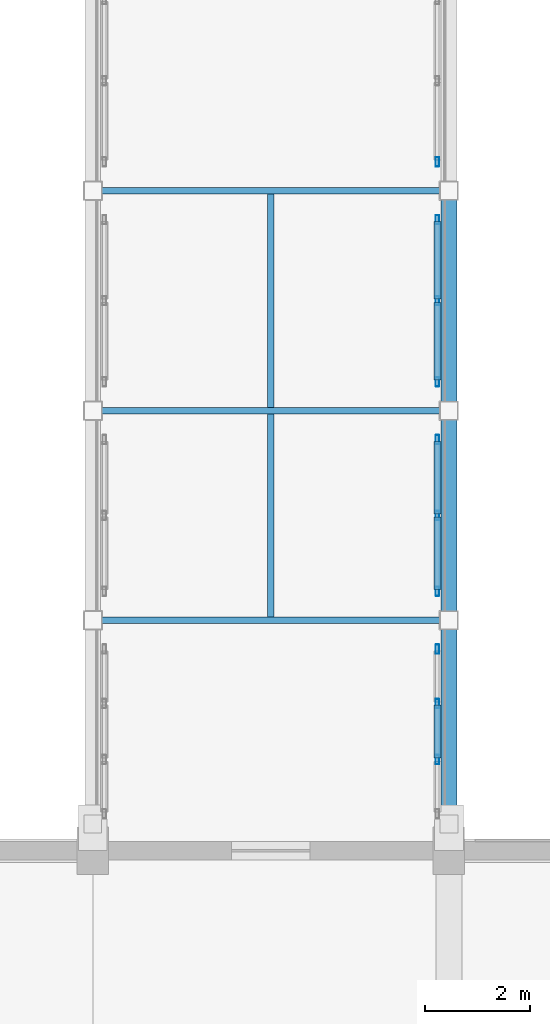
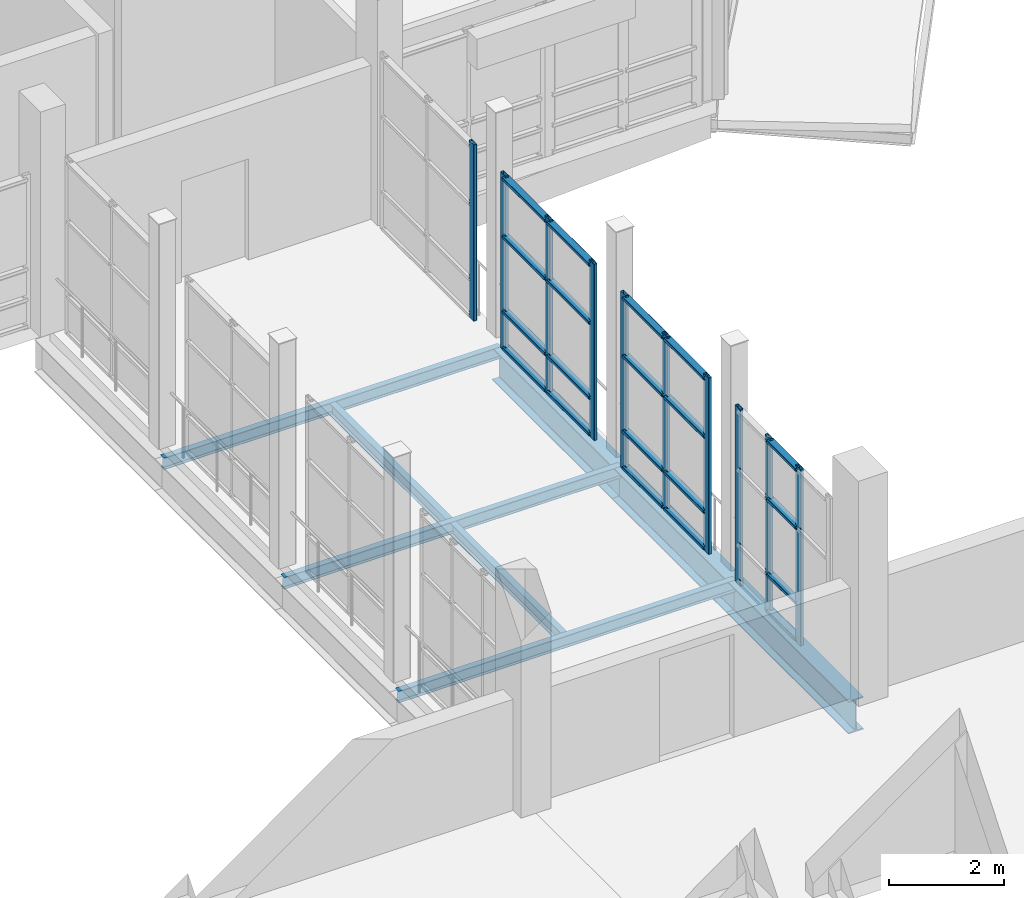
# One storey, part 26 of 106: 30 members, 8 beams, 4 elements without a shape of their own.
"""IFC4 building model written with IfcOpenShell, lengths in metres."""

from ifc_helpers import new_model, si_unit, direction, frame, origin, origin_2d, place, context, subcontext, project, spatial, hollow_rectangle, i_section, extrude, material, layer, layer_set, material_profile, profile_set, type_object, element, aggregate, save


model = new_model("IFC4")

# Units and contexts
model_context = context("Model", 3, precision=1e-05, world=origin(), true_north=direction((0.0, 1.0)))
body_context = subcontext(model_context, "Body", "Model", "MODEL_VIEW")
ifc_project = project(units=[si_unit("LENGTHUNIT", "METRE"), si_unit("AREAUNIT", "SQUARE_METRE"), si_unit("VOLUMEUNIT", "CUBIC_METRE"), si_unit("PLANEANGLEUNIT", "RADIAN"), si_unit("MASSUNIT", "GRAM", prefix="KILO")], contexts=[model_context])

# Site, building, storey
site_placement = place(None, origin())
site = spatial("IfcSite", under=ifc_project, at=site_placement, CompositionType="ELEMENT")
building_placement = place(site_placement, origin())
building = spatial("IfcBuilding", under=site, at=building_placement, Name="Kisaragi Civic Commons", CompositionType="ELEMENT")
storey_placement = place(building_placement, frame((0.0, 0.0, 4.800048828125)))
storey = spatial("IfcBuildingStorey", under=building, at=storey_placement, Name="L01", CompositionType="ELEMENT", Elevation=4.800048828125)

# Curtain wall, members
ifc_material_1 = material(Name="Thermally broken anodized aluminium and low-E double glazing", Category="aluminium")
ifc_layer = layer(ifc_material_1, 0.179931640625, Name="Thermally broken anodized aluminium and low-E double glazing", Category="aluminium")
ifc_layer_set = layer_set([ifc_layer], Name="Thermally broken anodized aluminium and low-E double glazing")
curtain_wall_type = type_object("IfcCurtainWallType", Name="CW-04", PredefinedType="NOTDEFINED", material=ifc_layer_set)
curtain_wall_1_placement = place(storey_placement, origin())
curtain_wall_1 = element("IfcCurtainWall", 1, at=curtain_wall_1_placement, inside=storey, type_object=curtain_wall_type, Name="L01 curtain wall CW-04 CW-BR-129", PredefinedType="NOTDEFINED")
ifc_material_profile_1 = material_profile(ifc_material_1, hollow_rectangle(XDim=0.06494140625, YDim=0.179931640625, WallThickness=0.00439453125, InnerFilletRadius=0.00439453125, OuterFilletRadius=0.009033203125, at=origin_2d()), Name="CWM-65x180x4.5", Category="aluminium")
ifc_profile_set_1 = profile_set([ifc_material_profile_1], Name="Thermally broken anodized aluminium and low-E double glazing")
member_type_1 = type_object("IfcMemberType", Name="CWM-02", PredefinedType="MULLION", material=ifc_profile_set_1)
member_1_placement = place(storey_placement, frame((20.179931640625, 64.139892578125, 0.0), z_axis=(0.0, 0.0, 1.0), x_axis=(-1.0, 0.0, 0.0)))
member_1 = element("IfcMember", 2, at=member_1_placement, type_object=member_type_1, Name="CW-04 mullion 2", PredefinedType="MULLION", context=body_context, shape_type="SweptSolid", body=[
    extrude(hollow_rectangle(XDim=0.06494140625, YDim=0.179931640625, WallThickness=0.00439453125, InnerFilletRadius=0.00439453125, OuterFilletRadius=0.009033203125, at=origin_2d()), origin(), (0.0, 0.0, 1.0), 3.760009765625),
])
member_2_placement = place(storey_placement, frame((20.179931640625, 65.2099609375, 0.0), z_axis=(0.0, 0.0, 1.0), x_axis=(-1.0, 0.0, 0.0)))
member_2 = element("IfcMember", 3, at=member_2_placement, type_object=member_type_1, Name="CW-04 mullion 3", PredefinedType="MULLION", context=body_context, shape_type="SweptSolid", body=[
    extrude(hollow_rectangle(XDim=0.06494140625, YDim=0.179931640625, WallThickness=0.00439453125, InnerFilletRadius=0.00439453125, OuterFilletRadius=0.009033203125, at=origin_2d()), origin(), (0.0, 0.0, 1.0), 3.760009765625),
])
member_3_placement = place(storey_placement, frame((20.179931640625, 66.24755859375, 0.0), z_axis=(0.0, 0.0, 1.0), x_axis=(-1.0, 0.0, 0.0)))
member_3 = element("IfcMember", 4, at=member_3_placement, type_object=member_type_1, Name="CW-04 mullion 4", PredefinedType="MULLION", context=body_context, shape_type="SweptSolid", body=[
    extrude(hollow_rectangle(XDim=0.06494140625, YDim=0.179931640625, WallThickness=0.00439453125, InnerFilletRadius=0.00439453125, OuterFilletRadius=0.009033203125, at=origin_2d()), origin(), (0.0, 0.0, 1.0), 3.760009765625),
])

curtain_wall_2_placement = place(storey_placement, origin())
curtain_wall_2 = element("IfcCurtainWall", 5, at=curtain_wall_2_placement, inside=storey, type_object=curtain_wall_type, Name="L01 curtain wall CW-04 CW-BR-130", PredefinedType="NOTDEFINED")
member_4_placement = place(storey_placement, frame((20.179931640625, 67.3525390625, 0.0), z_axis=(0.0, 0.0, 1.0), x_axis=(-1.0, 0.0, 0.0)))
member_4 = element("IfcMember", 6, at=member_4_placement, type_object=member_type_1, Name="CW-04 mullion 1", PredefinedType="MULLION", context=body_context, shape_type="SweptSolid", body=[
    extrude(hollow_rectangle(XDim=0.06494140625, YDim=0.179931640625, WallThickness=0.00439453125, InnerFilletRadius=0.00439453125, OuterFilletRadius=0.009033203125, at=origin_2d()), origin(), (0.0, 0.0, 1.0), 3.760009765625),
])
member_5_placement = place(storey_placement, frame((20.179931640625, 68.800048828125, 0.0), z_axis=(0.0, 0.0, 1.0), x_axis=(-1.0, 0.0, 0.0)))
member_5 = element("IfcMember", 7, at=member_5_placement, type_object=member_type_1, Name="CW-04 mullion 2", PredefinedType="MULLION", context=body_context, shape_type="SweptSolid", body=[
    extrude(hollow_rectangle(XDim=0.06494140625, YDim=0.179931640625, WallThickness=0.00439453125, InnerFilletRadius=0.00439453125, OuterFilletRadius=0.009033203125, at=origin_2d()), origin(), (0.0, 0.0, 1.0), 3.760009765625),
])
member_6_placement = place(storey_placement, frame((20.179931640625, 70.24755859375, 0.0), z_axis=(0.0, 0.0, 1.0), x_axis=(-1.0, 0.0, 0.0)))
member_6 = element("IfcMember", 8, at=member_6_placement, type_object=member_type_1, Name="CW-04 mullion 3", PredefinedType="MULLION", context=body_context, shape_type="SweptSolid", body=[
    extrude(hollow_rectangle(XDim=0.06494140625, YDim=0.179931640625, WallThickness=0.00439453125, InnerFilletRadius=0.00439453125, OuterFilletRadius=0.009033203125, at=origin_2d()), origin(), (0.0, 0.0, 1.0), 3.760009765625),
])

curtain_wall_3_placement = place(storey_placement, origin())
curtain_wall_3 = element("IfcCurtainWall", 9, at=curtain_wall_3_placement, inside=storey, type_object=curtain_wall_type, Name="L01 curtain wall CW-04 CW-BR-131", PredefinedType="NOTDEFINED")
member_7_placement = place(storey_placement, frame((20.179931640625, 71.3525390625, 0.0), z_axis=(0.0, 0.0, 1.0), x_axis=(-1.0, 0.0, 0.0)))
member_7 = element("IfcMember", 10, at=member_7_placement, type_object=member_type_1, Name="CW-04 mullion 1", PredefinedType="MULLION", context=body_context, shape_type="SweptSolid", body=[
    extrude(hollow_rectangle(XDim=0.06494140625, YDim=0.179931640625, WallThickness=0.00439453125, InnerFilletRadius=0.00439453125, OuterFilletRadius=0.009033203125, at=origin_2d()), origin(), (0.0, 0.0, 1.0), 3.760009765625),
])
member_8_placement = place(storey_placement, frame((20.179931640625, 72.89990234375, 0.0), z_axis=(0.0, 0.0, 1.0), x_axis=(-1.0, 0.0, 0.0)))
member_8 = element("IfcMember", 11, at=member_8_placement, type_object=member_type_1, Name="CW-04 mullion 2", PredefinedType="MULLION", context=body_context, shape_type="SweptSolid", body=[
    extrude(hollow_rectangle(XDim=0.06494140625, YDim=0.179931640625, WallThickness=0.00439453125, InnerFilletRadius=0.00439453125, OuterFilletRadius=0.009033203125, at=origin_2d()), origin(), (0.0, 0.0, 1.0), 3.760009765625),
])
member_9_placement = place(storey_placement, frame((20.179931640625, 74.447509765625, 0.0), z_axis=(0.0, 0.0, 1.0), x_axis=(-1.0, 0.0, 0.0)))
member_9 = element("IfcMember", 12, at=member_9_placement, type_object=member_type_1, Name="CW-04 mullion 3", PredefinedType="MULLION", context=body_context, shape_type="SweptSolid", body=[
    extrude(hollow_rectangle(XDim=0.06494140625, YDim=0.179931640625, WallThickness=0.00439453125, InnerFilletRadius=0.00439453125, OuterFilletRadius=0.009033203125, at=origin_2d()), origin(), (0.0, 0.0, 1.0), 3.760009765625),
])

# Curtain wall, member
curtain_wall_4_placement = place(storey_placement, origin())
curtain_wall_4 = element("IfcCurtainWall", 13, at=curtain_wall_4_placement, inside=storey, type_object=curtain_wall_type, Name="L01 curtain wall CW-04 CW-BR-132", PredefinedType="NOTDEFINED")
member_10_placement = place(storey_placement, frame((20.179931640625, 75.552490234375, 0.0), z_axis=(0.0, 0.0, 1.0), x_axis=(-1.0, 0.0, 0.0)))
member_10 = element("IfcMember", 14, at=member_10_placement, type_object=member_type_1, Name="CW-04 mullion 1", PredefinedType="MULLION", context=body_context, shape_type="SweptSolid", body=[
    extrude(hollow_rectangle(XDim=0.06494140625, YDim=0.179931640625, WallThickness=0.00439453125, InnerFilletRadius=0.00439453125, OuterFilletRadius=0.009033203125, at=origin_2d()), origin(), (0.0, 0.0, 1.0), 3.760009765625),
])
aggregate(curtain_wall_4, [member_10])

# Member
ifc_material_profile_2 = material_profile(ifc_material_1, hollow_rectangle(XDim=0.139892578125, YDim=0.06494140625, WallThickness=0.00439453125, InnerFilletRadius=0.00439453125, OuterFilletRadius=0.009033203125, at=origin_2d()), Name="CWT-65x140x4.5", Category="aluminium")
ifc_profile_set_2 = profile_set([ifc_material_profile_2], Name="Thermally broken anodized aluminium and low-E double glazing")
member_type_2 = type_object("IfcMemberType", Name="CWT-02", PredefinedType="USERDEFINED", material=ifc_profile_set_2)
member_11_placement = place(storey_placement, frame((20.179931640625, 64.172607421875, 0.070068359375), z_axis=(0.0, 1.0, 0.0), x_axis=(-1.0, 0.0, 0.0)))
member_11 = element("IfcMember", 15, at=member_11_placement, type_object=member_type_2, Name="CW-04 transom 2.1", ObjectType="TRANSOM", PredefinedType="USERDEFINED", context=body_context, shape_type="SweptSolid", body=[
    extrude(hollow_rectangle(XDim=0.139892578125, YDim=0.06494140625, WallThickness=0.00439453125, InnerFilletRadius=0.00439453125, OuterFilletRadius=0.009033203125, at=origin_2d()), origin(), (0.0, 0.0, 1.0), 1.0048828125),
])

member_12_placement = place(storey_placement, frame((20.179931640625, 64.172607421875, 0.849853515625), z_axis=(0.0, 1.0, 0.0), x_axis=(-1.0, 0.0, 0.0)))
member_12 = element("IfcMember", 16, at=member_12_placement, type_object=member_type_2, Name="CW-04 transom 2.2", ObjectType="TRANSOM", PredefinedType="USERDEFINED", context=body_context, shape_type="SweptSolid", body=[
    extrude(hollow_rectangle(XDim=0.139892578125, YDim=0.06494140625, WallThickness=0.00439453125, InnerFilletRadius=0.00439453125, OuterFilletRadius=0.009033203125, at=origin_2d()), origin(), (0.0, 0.0, 1.0), 1.0048828125),
])

member_13_placement = place(storey_placement, frame((20.179931640625, 64.172607421875, 2.449951171875), z_axis=(0.0, 1.0, 0.0), x_axis=(-1.0, 0.0, 0.0)))
member_13 = element("IfcMember", 17, at=member_13_placement, type_object=member_type_2, Name="CW-04 transom 2.3", ObjectType="TRANSOM", PredefinedType="USERDEFINED", context=body_context, shape_type="SweptSolid", body=[
    extrude(hollow_rectangle(XDim=0.139892578125, YDim=0.06494140625, WallThickness=0.00439453125, InnerFilletRadius=0.00439453125, OuterFilletRadius=0.009033203125, at=origin_2d()), origin(), (0.0, 0.0, 1.0), 1.0048828125),
])

member_14_placement = place(storey_placement, frame((20.179931640625, 64.172607421875, 3.68994140625), z_axis=(0.0, 1.0, 0.0), x_axis=(-1.0, 0.0, 0.0)))
member_14 = element("IfcMember", 18, at=member_14_placement, type_object=member_type_2, Name="CW-04 transom 2.4", ObjectType="TRANSOM", PredefinedType="USERDEFINED", context=body_context, shape_type="SweptSolid", body=[
    extrude(hollow_rectangle(XDim=0.139892578125, YDim=0.06494140625, WallThickness=0.00439453125, InnerFilletRadius=0.00439453125, OuterFilletRadius=0.009033203125, at=origin_2d()), origin(), (0.0, 0.0, 1.0), 1.0048828125),
])

aggregate(curtain_wall_1, [member_1, member_2, member_3, member_11, member_12, member_13, member_14])

member_15_placement = place(storey_placement, frame((20.179931640625, 67.385009765625, 0.070068359375), z_axis=(0.0, 1.0, 0.0), x_axis=(-1.0, 0.0, 0.0)))
member_15 = element("IfcMember", 19, at=member_15_placement, type_object=member_type_2, Name="CW-04 transom 1.1", ObjectType="TRANSOM", PredefinedType="USERDEFINED", context=body_context, shape_type="SweptSolid", body=[
    extrude(hollow_rectangle(XDim=0.139892578125, YDim=0.06494140625, WallThickness=0.00439453125, InnerFilletRadius=0.00439453125, OuterFilletRadius=0.009033203125, at=origin_2d()), origin(), (0.0, 0.0, 1.0), 1.382568359375),
])

member_16_placement = place(storey_placement, frame((20.179931640625, 67.385009765625, 0.849853515625), z_axis=(0.0, 1.0, 0.0), x_axis=(-1.0, 0.0, 0.0)))
member_16 = element("IfcMember", 20, at=member_16_placement, type_object=member_type_2, Name="CW-04 transom 1.2", ObjectType="TRANSOM", PredefinedType="USERDEFINED", context=body_context, shape_type="SweptSolid", body=[
    extrude(hollow_rectangle(XDim=0.139892578125, YDim=0.06494140625, WallThickness=0.00439453125, InnerFilletRadius=0.00439453125, OuterFilletRadius=0.009033203125, at=origin_2d()), origin(), (0.0, 0.0, 1.0), 1.382568359375),
])

member_17_placement = place(storey_placement, frame((20.179931640625, 67.385009765625, 2.449951171875), z_axis=(0.0, 1.0, 0.0), x_axis=(-1.0, 0.0, 0.0)))
member_17 = element("IfcMember", 21, at=member_17_placement, type_object=member_type_2, Name="CW-04 transom 1.3", ObjectType="TRANSOM", PredefinedType="USERDEFINED", context=body_context, shape_type="SweptSolid", body=[
    extrude(hollow_rectangle(XDim=0.139892578125, YDim=0.06494140625, WallThickness=0.00439453125, InnerFilletRadius=0.00439453125, OuterFilletRadius=0.009033203125, at=origin_2d()), origin(), (0.0, 0.0, 1.0), 1.382568359375),
])

member_18_placement = place(storey_placement, frame((20.179931640625, 67.385009765625, 3.68994140625), z_axis=(0.0, 1.0, 0.0), x_axis=(-1.0, 0.0, 0.0)))
member_18 = element("IfcMember", 22, at=member_18_placement, type_object=member_type_2, Name="CW-04 transom 1.4", ObjectType="TRANSOM", PredefinedType="USERDEFINED", context=body_context, shape_type="SweptSolid", body=[
    extrude(hollow_rectangle(XDim=0.139892578125, YDim=0.06494140625, WallThickness=0.00439453125, InnerFilletRadius=0.00439453125, OuterFilletRadius=0.009033203125, at=origin_2d()), origin(), (0.0, 0.0, 1.0), 1.382568359375),
])

member_19_placement = place(storey_placement, frame((20.179931640625, 68.83251953125, 0.070068359375), z_axis=(0.0, 1.0, 0.0), x_axis=(-1.0, 0.0, 0.0)))
member_19 = element("IfcMember", 23, at=member_19_placement, type_object=member_type_2, Name="CW-04 transom 2.1", ObjectType="TRANSOM", PredefinedType="USERDEFINED", context=body_context, shape_type="SweptSolid", body=[
    extrude(hollow_rectangle(XDim=0.139892578125, YDim=0.06494140625, WallThickness=0.00439453125, InnerFilletRadius=0.00439453125, OuterFilletRadius=0.009033203125, at=origin_2d()), origin(), (0.0, 0.0, 1.0), 1.382568359375),
])

member_20_placement = place(storey_placement, frame((20.179931640625, 68.83251953125, 0.849853515625), z_axis=(0.0, 1.0, 0.0), x_axis=(-1.0, 0.0, 0.0)))
member_20 = element("IfcMember", 24, at=member_20_placement, type_object=member_type_2, Name="CW-04 transom 2.2", ObjectType="TRANSOM", PredefinedType="USERDEFINED", context=body_context, shape_type="SweptSolid", body=[
    extrude(hollow_rectangle(XDim=0.139892578125, YDim=0.06494140625, WallThickness=0.00439453125, InnerFilletRadius=0.00439453125, OuterFilletRadius=0.009033203125, at=origin_2d()), origin(), (0.0, 0.0, 1.0), 1.382568359375),
])

member_21_placement = place(storey_placement, frame((20.179931640625, 68.83251953125, 2.449951171875), z_axis=(0.0, 1.0, 0.0), x_axis=(-1.0, 0.0, 0.0)))
member_21 = element("IfcMember", 25, at=member_21_placement, type_object=member_type_2, Name="CW-04 transom 2.3", ObjectType="TRANSOM", PredefinedType="USERDEFINED", context=body_context, shape_type="SweptSolid", body=[
    extrude(hollow_rectangle(XDim=0.139892578125, YDim=0.06494140625, WallThickness=0.00439453125, InnerFilletRadius=0.00439453125, OuterFilletRadius=0.009033203125, at=origin_2d()), origin(), (0.0, 0.0, 1.0), 1.382568359375),
])

member_22_placement = place(storey_placement, frame((20.179931640625, 68.83251953125, 3.68994140625), z_axis=(0.0, 1.0, 0.0), x_axis=(-1.0, 0.0, 0.0)))
member_22 = element("IfcMember", 26, at=member_22_placement, type_object=member_type_2, Name="CW-04 transom 2.4", ObjectType="TRANSOM", PredefinedType="USERDEFINED", context=body_context, shape_type="SweptSolid", body=[
    extrude(hollow_rectangle(XDim=0.139892578125, YDim=0.06494140625, WallThickness=0.00439453125, InnerFilletRadius=0.00439453125, OuterFilletRadius=0.009033203125, at=origin_2d()), origin(), (0.0, 0.0, 1.0), 1.382568359375),
])

aggregate(curtain_wall_2, [member_4, member_5, member_6, member_15, member_16, member_17, member_18, member_19, member_20, member_21, member_22])

member_23_placement = place(storey_placement, frame((20.179931640625, 71.385009765625, 0.070068359375), z_axis=(0.0, 1.0, 0.0), x_axis=(-1.0, 0.0, 0.0)))
member_23 = element("IfcMember", 27, at=member_23_placement, type_object=member_type_2, Name="CW-04 transom 1.1", ObjectType="TRANSOM", PredefinedType="USERDEFINED", context=body_context, shape_type="SweptSolid", body=[
    extrude(hollow_rectangle(XDim=0.139892578125, YDim=0.06494140625, WallThickness=0.00439453125, InnerFilletRadius=0.00439453125, OuterFilletRadius=0.009033203125, at=origin_2d()), origin(), (0.0, 0.0, 1.0), 1.482421875),
])

member_24_placement = place(storey_placement, frame((20.179931640625, 71.385009765625, 0.849853515625), z_axis=(0.0, 1.0, 0.0), x_axis=(-1.0, 0.0, 0.0)))
member_24 = element("IfcMember", 28, at=member_24_placement, type_object=member_type_2, Name="CW-04 transom 1.2", ObjectType="TRANSOM", PredefinedType="USERDEFINED", context=body_context, shape_type="SweptSolid", body=[
    extrude(hollow_rectangle(XDim=0.139892578125, YDim=0.06494140625, WallThickness=0.00439453125, InnerFilletRadius=0.00439453125, OuterFilletRadius=0.009033203125, at=origin_2d()), origin(), (0.0, 0.0, 1.0), 1.482421875),
])

member_25_placement = place(storey_placement, frame((20.179931640625, 71.385009765625, 2.449951171875), z_axis=(0.0, 1.0, 0.0), x_axis=(-1.0, 0.0, 0.0)))
member_25 = element("IfcMember", 29, at=member_25_placement, type_object=member_type_2, Name="CW-04 transom 1.3", ObjectType="TRANSOM", PredefinedType="USERDEFINED", context=body_context, shape_type="SweptSolid", body=[
    extrude(hollow_rectangle(XDim=0.139892578125, YDim=0.06494140625, WallThickness=0.00439453125, InnerFilletRadius=0.00439453125, OuterFilletRadius=0.009033203125, at=origin_2d()), origin(), (0.0, 0.0, 1.0), 1.482421875),
])

member_26_placement = place(storey_placement, frame((20.179931640625, 71.385009765625, 3.68994140625), z_axis=(0.0, 1.0, 0.0), x_axis=(-1.0, 0.0, 0.0)))
member_26 = element("IfcMember", 30, at=member_26_placement, type_object=member_type_2, Name="CW-04 transom 1.4", ObjectType="TRANSOM", PredefinedType="USERDEFINED", context=body_context, shape_type="SweptSolid", body=[
    extrude(hollow_rectangle(XDim=0.139892578125, YDim=0.06494140625, WallThickness=0.00439453125, InnerFilletRadius=0.00439453125, OuterFilletRadius=0.009033203125, at=origin_2d()), origin(), (0.0, 0.0, 1.0), 1.482421875),
])

member_27_placement = place(storey_placement, frame((20.179931640625, 72.9326171875, 0.070068359375), z_axis=(0.0, 1.0, 0.0), x_axis=(-1.0, 0.0, 0.0)))
member_27 = element("IfcMember", 31, at=member_27_placement, type_object=member_type_2, Name="CW-04 transom 2.1", ObjectType="TRANSOM", PredefinedType="USERDEFINED", context=body_context, shape_type="SweptSolid", body=[
    extrude(hollow_rectangle(XDim=0.139892578125, YDim=0.06494140625, WallThickness=0.00439453125, InnerFilletRadius=0.00439453125, OuterFilletRadius=0.009033203125, at=origin_2d()), origin(), (0.0, 0.0, 1.0), 1.482421875),
])

member_28_placement = place(storey_placement, frame((20.179931640625, 72.9326171875, 0.849853515625), z_axis=(0.0, 1.0, 0.0), x_axis=(-1.0, 0.0, 0.0)))
member_28 = element("IfcMember", 32, at=member_28_placement, type_object=member_type_2, Name="CW-04 transom 2.2", ObjectType="TRANSOM", PredefinedType="USERDEFINED", context=body_context, shape_type="SweptSolid", body=[
    extrude(hollow_rectangle(XDim=0.139892578125, YDim=0.06494140625, WallThickness=0.00439453125, InnerFilletRadius=0.00439453125, OuterFilletRadius=0.009033203125, at=origin_2d()), origin(), (0.0, 0.0, 1.0), 1.482421875),
])

member_29_placement = place(storey_placement, frame((20.179931640625, 72.9326171875, 2.449951171875), z_axis=(0.0, 1.0, 0.0), x_axis=(-1.0, 0.0, 0.0)))
member_29 = element("IfcMember", 33, at=member_29_placement, type_object=member_type_2, Name="CW-04 transom 2.3", ObjectType="TRANSOM", PredefinedType="USERDEFINED", context=body_context, shape_type="SweptSolid", body=[
    extrude(hollow_rectangle(XDim=0.139892578125, YDim=0.06494140625, WallThickness=0.00439453125, InnerFilletRadius=0.00439453125, OuterFilletRadius=0.009033203125, at=origin_2d()), origin(), (0.0, 0.0, 1.0), 1.482421875),
])

member_30_placement = place(storey_placement, frame((20.179931640625, 72.9326171875, 3.68994140625), z_axis=(0.0, 1.0, 0.0), x_axis=(-1.0, 0.0, 0.0)))
member_30 = element("IfcMember", 34, at=member_30_placement, type_object=member_type_2, Name="CW-04 transom 2.4", ObjectType="TRANSOM", PredefinedType="USERDEFINED", context=body_context, shape_type="SweptSolid", body=[
    extrude(hollow_rectangle(XDim=0.139892578125, YDim=0.06494140625, WallThickness=0.00439453125, InnerFilletRadius=0.00439453125, OuterFilletRadius=0.009033203125, at=origin_2d()), origin(), (0.0, 0.0, 1.0), 1.482421875),
])

aggregate(curtain_wall_3, [member_7, member_8, member_9, member_23, member_24, member_25, member_26, member_27, member_28, member_29, member_30])

# Beams
ifc_material_2 = material(Name="Steel SN490 (SN490B)", Category="steel")
ifc_material_profile_3 = material_profile(ifc_material_2, i_section(OverallWidth=0.300048828125, OverallDepth=0.699951171875, WebThickness=0.012939453125, FlangeThickness=0.02392578125, FilletRadius=0.01806640625, at=origin_2d()), Name="H-700x300x13x24", Category="steel")
ifc_profile_set_3 = profile_set([ifc_material_profile_3], Name="Steel SN490 (SN490B)")
beam_type_1 = type_object("IfcBeamType", Name="G-09", PredefinedType="BEAM", material=ifc_profile_set_3)
beam_1_placement = place(storey_placement, frame((20.39990234375, 75.0, -0.655029296875), z_axis=(0.0, -1.0, 0.0), x_axis=(1.0, 0.0, 0.0)))
element("IfcBeam", 35, at=beam_1_placement, inside=storey, type_object=beam_type_1, Name="BR-V2-V1 L01 bridge girder 67", PredefinedType="BEAM", context=body_context, shape_type="SweptSolid", body=[
    extrude(i_section(OverallWidth=0.300048828125, OverallDepth=0.699951171875, WebThickness=0.012939453125, FlangeThickness=0.02392578125, FilletRadius=0.01806640625, at=origin_2d()), origin(), (0.0, 0.0, 1.0), 4.199951171875),
])
beam_2_placement = place(storey_placement, frame((20.39990234375, 70.800048828125, -0.655029296875), z_axis=(0.0, -1.0, 0.0), x_axis=(1.0, 0.0, 0.0)))
element("IfcBeam", 36, at=beam_2_placement, inside=storey, type_object=beam_type_1, Name="BR-V2-V1 L01 bridge girder 68", PredefinedType="BEAM", context=body_context, shape_type="SweptSolid", body=[
    extrude(i_section(OverallWidth=0.300048828125, OverallDepth=0.699951171875, WebThickness=0.012939453125, FlangeThickness=0.02392578125, FilletRadius=0.01806640625, at=origin_2d()), origin(), (0.0, 0.0, 1.0), 4.0),
])
beam_3_placement = place(storey_placement, frame((20.39990234375, 66.800048828125, -0.655029296875), z_axis=(0.0, -1.0, 0.0), x_axis=(1.0, 0.0, 0.0)))
element("IfcBeam", 37, at=beam_3_placement, inside=storey, type_object=beam_type_1, Name="BR-V2-V1 L01 bridge girder 69", PredefinedType="BEAM", context=body_context, shape_type="SweptSolid", body=[
    extrude(i_section(OverallWidth=0.300048828125, OverallDepth=0.699951171875, WebThickness=0.012939453125, FlangeThickness=0.02392578125, FilletRadius=0.01806640625, at=origin_2d()), origin(), (0.0, 0.0, 1.0), 4.25),
])
ifc_material_3 = material(Name="Steel SN400 (SN400B)", Category="steel")
ifc_material_profile_4 = material_profile(ifc_material_3, i_section(OverallWidth=0.125, OverallDepth=0.25, WebThickness=0.006103515625, FlangeThickness=0.009033203125, FilletRadius=0.008056640625, at=origin_2d()), Name="H-250x125x6x9", Category="steel")
ifc_profile_set_4 = profile_set([ifc_material_profile_4], Name="Steel SN400 (SN400B)")
beam_type_2 = type_object("IfcBeamType", Name="J-05", PredefinedType="JOIST", material=ifc_profile_set_4)
for number, where, z_axis, x_axis, name in (
    (38, (13.60009765625, 75.0, -0.429931640625), (1.0, 0.0, 0.0), (0.0, 1.0, 0.0), "BR-V2-V1 L01 cross joist 71"),
    (39, (13.60009765625, 70.800048828125, -0.429931640625), (1.0, 0.0, 0.0), (0.0, 1.0, 0.0), "BR-V2-V1 L01 cross joist 72"),
    (40, (13.60009765625, 66.800048828125, -0.429931640625), (1.0, 0.0, 0.0), (0.0, 1.0, 0.0), "BR-V2-V1 L01 cross joist 73"),
):
    element("IfcBeam", number, at=place(storey_placement, frame(where, z_axis=z_axis, x_axis=x_axis)), inside=storey, type_object=beam_type_2, Name=name, PredefinedType="JOIST", context=body_context, shape_type="SweptSolid", body=[
        extrude(i_section(OverallWidth=0.125, OverallDepth=0.25, WebThickness=0.006103515625, FlangeThickness=0.009033203125, FilletRadius=0.008056640625, at=origin_2d()), origin(), (0.0, 0.0, 1.0), 6.7998046875),
    ])
beam_4_placement = place(storey_placement, frame((17.0, 74.9375, -0.429931640625), z_axis=(0.0, -1.0, 0.0), x_axis=(1.0, 0.0, 0.0)))
element("IfcBeam", 41, at=beam_4_placement, inside=storey, type_object=beam_type_2, Name="BR-V2-V1 L01 spine joist 74", PredefinedType="JOIST", context=body_context, shape_type="SweptSolid", body=[
    extrude(i_section(OverallWidth=0.125, OverallDepth=0.25, WebThickness=0.006103515625, FlangeThickness=0.009033203125, FilletRadius=0.008056640625, at=origin_2d()), origin(), (0.0, 0.0, 1.0), 4.074951171875),
])
beam_5_placement = place(storey_placement, frame((17.0, 70.737548828125, -0.429931640625), z_axis=(0.0, -1.0, 0.0), x_axis=(1.0, 0.0, 0.0)))
element("IfcBeam", 42, at=beam_5_placement, inside=storey, type_object=beam_type_2, Name="BR-V2-V1 L01 spine joist 75", PredefinedType="JOIST", context=body_context, shape_type="SweptSolid", body=[
    extrude(i_section(OverallWidth=0.125, OverallDepth=0.25, WebThickness=0.006103515625, FlangeThickness=0.009033203125, FilletRadius=0.008056640625, at=origin_2d()), origin(), (0.0, 0.0, 1.0), 3.875),
])

save(model, "model.ifc")
